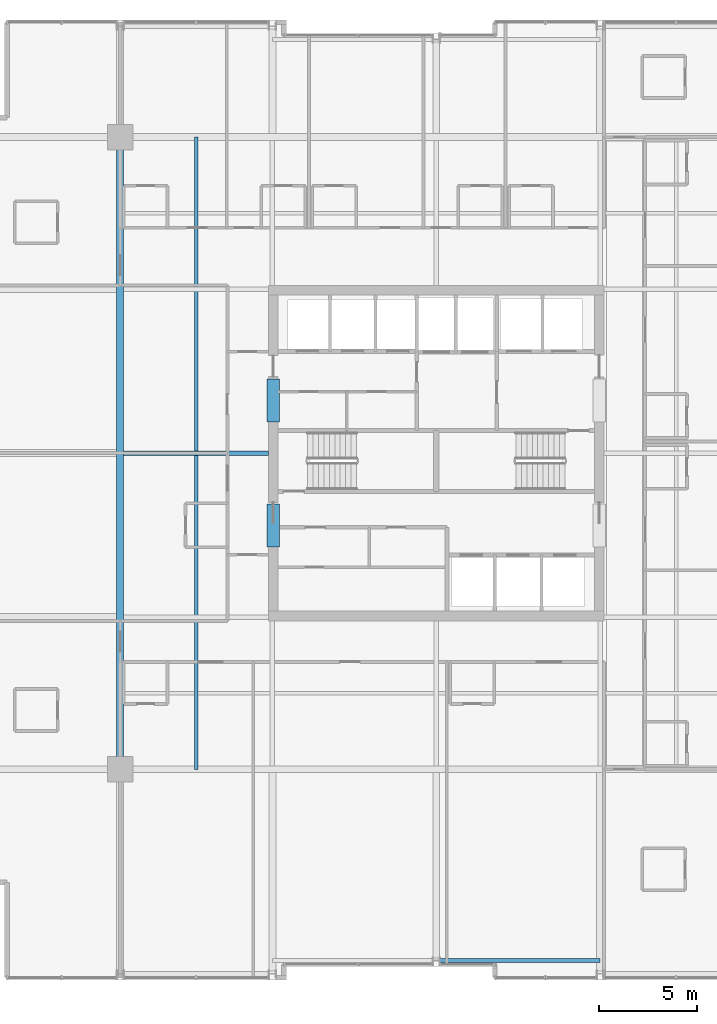
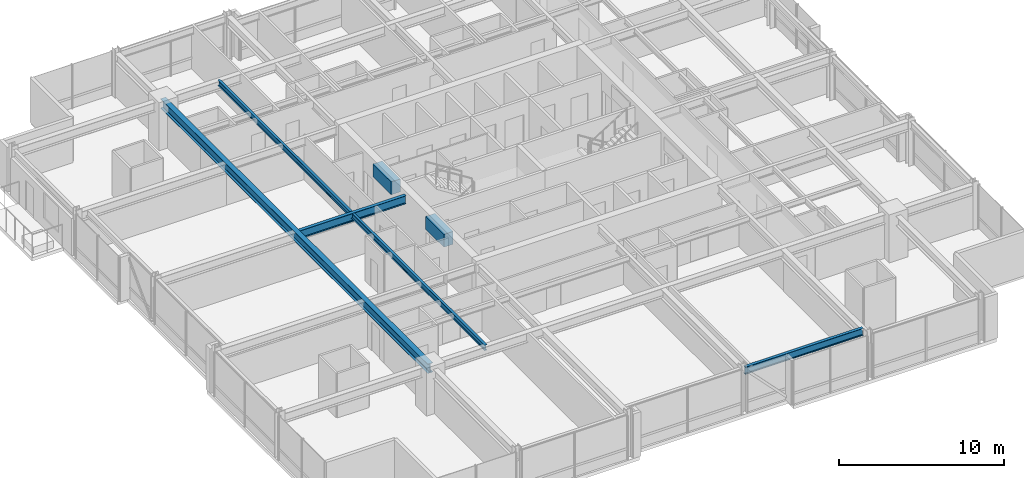
# One storey, part 10 of 32: 6 beams.
"""IFC4 building model written with IfcOpenShell, lengths in metres."""

from ifc_helpers import new_model, si_unit, direction, frame, origin, origin_2d, place, context, subcontext, project, spatial, rectangle, i_section, extrude, material, material_profile, profile_set, type_object, element, save


model = new_model("IFC4")

# Units and contexts
model_context = context("Model", 3, precision=1e-05, world=origin(), true_north=direction((0.0, 1.0)))
body_context = subcontext(model_context, "Body", "Model", "MODEL_VIEW")
ifc_project = project(units=[si_unit("LENGTHUNIT", "METRE"), si_unit("AREAUNIT", "SQUARE_METRE"), si_unit("VOLUMEUNIT", "CUBIC_METRE"), si_unit("PLANEANGLEUNIT", "RADIAN"), si_unit("MASSUNIT", "GRAM", prefix="KILO")], contexts=[model_context])

# Site, building, storey
site_placement = place(None, origin())
site = spatial("IfcSite", under=ifc_project, at=site_placement, CompositionType="ELEMENT")
building_placement = place(site_placement, origin())
building = spatial("IfcBuilding", under=site, at=building_placement, Name="Drelvath Grand Hotel", CompositionType="ELEMENT")
storey_placement = place(building_placement, frame((0.0, 0.0, 189.449951171875)))
storey = spatial("IfcBuildingStorey", under=building, at=storey_placement, Name="L49", CompositionType="ELEMENT", Elevation=189.449951171875)

# Beams
ifc_material_1 = material(Name="Steel ASTM A992 Gr 50", Category="steel")
ifc_material_profile_1 = material_profile(ifc_material_1, i_section(OverallWidth=0.177734375, OverallDepth=0.40673828125, WebThickness=0.0078125, FlangeThickness=0.0126953125, FilletRadius=0.014892578125, at=origin_2d()), Name="W16X40")
ifc_profile_set_1 = profile_set([ifc_material_profile_1], Name="Steel ASTM A992 Gr 50")
beam_type_1 = type_object("IfcBeamType", Name="Composite Floor Joist W16X40", PredefinedType="JOIST", material=ifc_profile_set_1)
beam_1_placement = place(storey_placement, frame((-12.300048828125, 10.800048828125, 3.086669921875), z_axis=(0.0, 1.0, 0.0), x_axis=(-1.0, 0.0, 0.0)))
element("IfcBeam", 1, at=beam_1_placement, inside=storey, type_object=beam_type_1, Name="L49 Wing Floor Joist J3", PredefinedType="JOIST", context=body_context, shape_type="SweptSolid", body=[
    extrude(i_section(OverallWidth=0.177734375, OverallDepth=0.40673828125, WebThickness=0.0078125, FlangeThickness=0.0126953125, FilletRadius=0.014892578125, at=origin_2d()), origin(), (0.0, 0.0, 1.0), 32.39990234375),
])
ifc_material_2 = material(Name="Concrete f'c 55 MPa", Category="concrete")
ifc_material_profile_2 = material_profile(ifc_material_2, rectangle(XDim=0.64990234375, YDim=0.949951171875, at=origin_2d()), Name="CB650X950")
ifc_profile_set_2 = profile_set([ifc_material_profile_2], Name="Concrete f'c 55 MPa")
beam_type_2 = type_object("IfcBeamType", Name="Core Coupling Lintel CB650X950", PredefinedType="LINTEL", material=ifc_profile_set_2)
for number, where, z_axis, x_axis, name in (
    (2, (-8.35009765625, 22.199951171875, 2.81494140625), (0.0, 1.0, 0.0), (-1.0, 0.0, 0.0), "L49 Core Coupling Lintel WS"),
    (3, (-8.35009765625, 28.60009765625, 2.81494140625), (0.0, 1.0, 0.0), (-1.0, 0.0, 0.0), "L49 Core Coupling Lintel WN"),
):
    element("IfcBeam", number, at=place(storey_placement, frame(where, z_axis=z_axis, x_axis=x_axis)), inside=storey, type_object=beam_type_2, Name=name, PredefinedType="LINTEL", context=body_context, shape_type="SweptSolid", body=[
        extrude(rectangle(XDim=0.64990234375, YDim=0.949951171875, at=origin_2d()), origin(), (0.0, 0.0, 1.0), 2.199951171875),
    ])
ifc_material_profile_3 = material_profile(ifc_material_1, i_section(OverallWidth=0.210205078125, OverallDepth=0.53662109375, WebThickness=0.010986328125, FlangeThickness=0.017333984375, FilletRadius=0.01806640625, at=origin_2d()), Name="W21X68")
ifc_profile_set_3 = profile_set([ifc_material_profile_3], Name="Steel ASTM A992 Gr 50")
beam_type_3 = type_object("IfcBeamType", Name="Perimeter Spandrel Beam W21X68", PredefinedType="SPANDREL", material=ifc_profile_set_3)
beam_2_placement = place(storey_placement, frame((0.139892578125, 1.0, 3.021728515625), z_axis=(1.0, 0.0, 0.0), x_axis=(0.0, 1.0, 0.0)))
element("IfcBeam", 4, at=beam_2_placement, inside=storey, type_object=beam_type_3, Name="L49 Spandrel South Mid E", PredefinedType="SPANDREL", context=body_context, shape_type="SweptSolid", body=[
    extrude(i_section(OverallWidth=0.210205078125, OverallDepth=0.53662109375, WebThickness=0.010986328125, FlangeThickness=0.017333984375, FilletRadius=0.01806640625, at=origin_2d()), origin(), (0.0, 0.0, 1.0), 8.260009765625),
])
ifc_material_profile_4 = material_profile(ifc_material_1, i_section(OverallWidth=0.228271484375, OverallDepth=0.607666015625, WebThickness=0.01123046875, FlangeThickness=0.017333984375, FilletRadius=0.02001953125, at=origin_2d()), Name="W24X76")
ifc_profile_set_4 = profile_set([ifc_material_profile_4], Name="Steel ASTM A992 Gr 50")
beam_type_4 = type_object("IfcBeamType", Name="Primary Floor Girder W24X76", PredefinedType="BEAM", material=ifc_profile_set_4)
beam_3_placement = place(storey_placement, frame((-16.022705078125, 27.0, 2.986328125), z_axis=(1.0, 0.0, 0.0), x_axis=(0.0, 1.0, 0.0)))
element("IfcBeam", 5, at=beam_3_placement, inside=storey, type_object=beam_type_4, Name="L49 West Core Tie E", PredefinedType="BEAM", context=body_context, shape_type="SweptSolid", body=[
    extrude(i_section(OverallWidth=0.228271484375, OverallDepth=0.607666015625, WebThickness=0.01123046875, FlangeThickness=0.017333984375, FilletRadius=0.02001953125, at=origin_2d()), origin(), (0.0, 0.0, 1.0), 7.422607421875),
])
ifc_material_profile_5 = material_profile(ifc_material_1, i_section(OverallWidth=0.354736328125, OverallDepth=0.695556640625, WebThickness=0.015380859375, FlangeThickness=0.025146484375, FilletRadius=0.02392578125, at=origin_2d()), Name="W27X146")
ifc_profile_set_5 = profile_set([ifc_material_profile_5], Name="Steel ASTM A992 Gr 50")
beam_type_5 = type_object("IfcBeamType", Name="Primary Floor Girder W27X146", PredefinedType="BEAM", material=ifc_profile_set_5)
beam_4_placement = place(storey_placement, frame((-16.199951171875, 10.800048828125, 2.9423828125), z_axis=(0.0, 1.0, 0.0), x_axis=(-1.0, 0.0, 0.0)))
element("IfcBeam", 6, at=beam_4_placement, inside=storey, type_object=beam_type_5, Name="L49 Mega Ring Girder West", PredefinedType="BEAM", context=body_context, shape_type="SweptSolid", body=[
    extrude(i_section(OverallWidth=0.354736328125, OverallDepth=0.695556640625, WebThickness=0.015380859375, FlangeThickness=0.025146484375, FilletRadius=0.02392578125, at=origin_2d()), origin(), (0.0, 0.0, 1.0), 32.39990234375),
])

save(model, "model.ifc")
